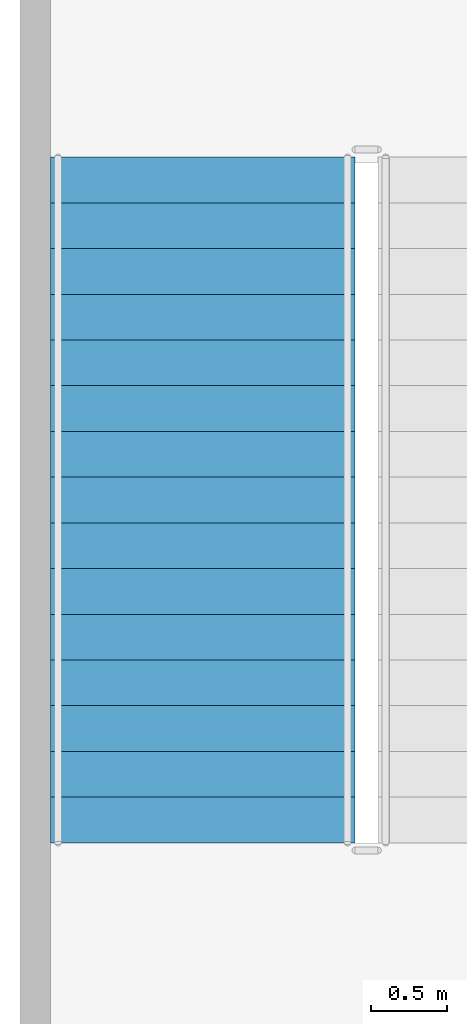
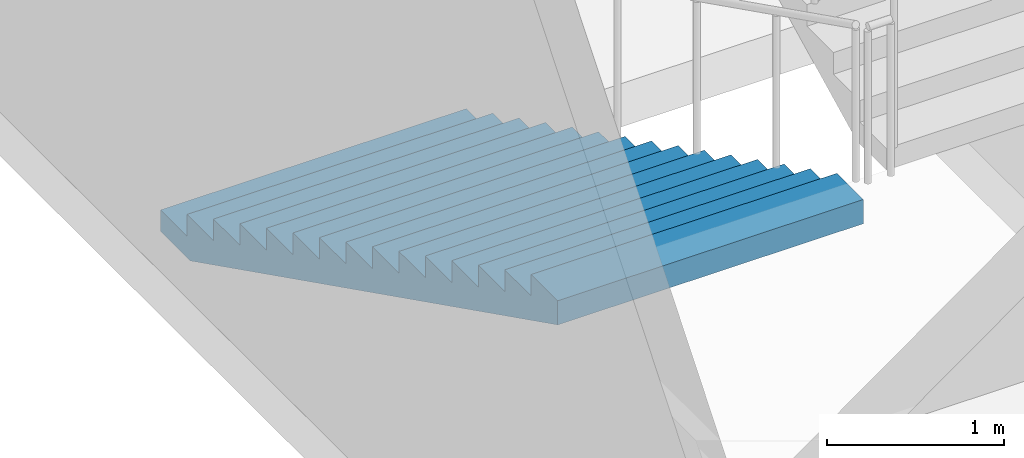
# One storey, part 54 of 67: 1 stair flight, 1 element without a shape of its own.
"""IFC4 building model written with IfcOpenShell, lengths in metres."""

from ifc_helpers import new_model, si_unit, direction, frame, origin, place, context, subcontext, project, spatial, faceted_brep, material, type_object, element, aggregate, save


model = new_model("IFC4")

# Units and contexts
model_context = context("Model", 3, precision=1e-05, world=origin(), true_north=direction((0.0, 1.0)))
body_context = subcontext(model_context, "Body", "Model", "MODEL_VIEW")
ifc_project = project(units=[si_unit("LENGTHUNIT", "METRE"), si_unit("AREAUNIT", "SQUARE_METRE"), si_unit("VOLUMEUNIT", "CUBIC_METRE"), si_unit("PLANEANGLEUNIT", "RADIAN"), si_unit("MASSUNIT", "GRAM", prefix="KILO")], contexts=[model_context])

# Site, building, storey
site_placement = place(None, origin())
site = spatial("IfcSite", under=ifc_project, at=site_placement, CompositionType="ELEMENT")
building_placement = place(site_placement, origin())
building = spatial("IfcBuilding", under=site, at=building_placement, Name="Kiln Court Media Centre", CompositionType="ELEMENT")
storey_placement = place(building_placement, frame((0.0, 0.0, 19.800048828125)))
storey = spatial("IfcBuildingStorey", under=building, at=storey_placement, Name="L04", CompositionType="ELEMENT", Elevation=19.800048828125)

# Stair, stair flight
ifc_material_1 = material(Name="Concrete C40/50", Category="concrete")
stair_type = type_object("IfcStairType", Name="Concrete C40/50 dog-leg stair 2000 wide, 150 riser", PredefinedType="HALF_TURN_STAIR", material=ifc_material_1)
stair_placement = place(storey_placement, origin())
stair = element("IfcStair", 1, at=stair_placement, inside=storey, type_object=stair_type, Name="ST-07 L04", PredefinedType="HALF_TURN_STAIR")
ifc_material_2 = material(Name="Concrete C40/50", Category="concrete")
stair_flight_type = type_object("IfcStairFlightType", Name="Concrete C40/50 stair flight 2000 wide, 150 riser, 300 going", PredefinedType="STRAIGHT", material=ifc_material_2)
stair_flight_placement = place(storey_placement, frame((1.199951171875, 64.39990234375, 0.0), z_axis=(0.0, 0.0, 1.0), x_axis=(0.0, -1.0, 0.0)))
stair_flight = element("IfcStairFlight", 2, at=stair_flight_placement, type_object=stair_flight_type, Name="L04-ST-5004 flight 5008", NumberOfRisers=16, NumberOfTreads=15, PredefinedType="STRAIGHT", RiserHeight=0.15, TreadLength=0.3, context=body_context, shape_type="Brep", body=[
    faceted_brep([(0.335205078125, -1.0, 0.0), (4.5, -1.0, 2.08251953125), (4.5, -1.0, 2.25), (4.199951171875, -1.0, 2.25), (4.199951171875, -1.0, 2.10009765625), (3.89990234375, -1.0, 2.10009765625), (3.89990234375, -1.0, 1.949951171875), (3.60009765625, -1.0, 1.949951171875), (3.60009765625, -1.0, 1.800048828125), (3.300048828125, -1.0, 1.800048828125), (3.300048828125, -1.0, 1.64990234375), (3.0, -1.0, 1.64990234375), (3.0, -1.0, 1.5), (2.699951171875, -1.0, 1.5), (2.699951171875, -1.0, 1.35009765625), (2.39990234375, -1.0, 1.35009765625), (2.39990234375, -1.0, 1.199951171875), (2.10009765625, -1.0, 1.199951171875), (2.10009765625, -1.0, 1.050048828125), (1.800048828125, -1.0, 1.050048828125), (1.800048828125, -1.0, 0.89990234375), (1.5, -1.0, 0.89990234375), (1.5, -1.0, 0.75), (1.199951171875, -1.0, 0.75), (1.199951171875, -1.0, 0.60009765625), (0.89990234375, -1.0, 0.60009765625), (0.89990234375, -1.0, 0.449951171875), (0.60009765625, -1.0, 0.449951171875), (0.60009765625, -1.0, 0.300048828125), (0.300048828125, -1.0, 0.300048828125), (0.300048828125, -1.0, 0.14990234375), (0.0, -1.0, 0.14990234375), (0.0, -1.0, 0.0), (0.0, 1.0, 0.0), (0.0, 1.0, 0.14990234375), (0.300048828125, 1.0, 0.14990234375), (0.300048828125, 1.0, 0.300048828125), (0.60009765625, 1.0, 0.300048828125), (0.60009765625, 1.0, 0.449951171875), (0.89990234375, 1.0, 0.449951171875), (0.89990234375, 1.0, 0.60009765625), (1.199951171875, 1.0, 0.60009765625), (1.199951171875, 1.0, 0.75), (1.5, 1.0, 0.75), (1.5, 1.0, 0.89990234375), (1.800048828125, 1.0, 0.89990234375), (1.800048828125, 1.0, 1.050048828125), (2.10009765625, 1.0, 1.050048828125), (2.10009765625, 1.0, 1.199951171875), (2.39990234375, 1.0, 1.199951171875), (2.39990234375, 1.0, 1.35009765625), (2.699951171875, 1.0, 1.35009765625), (2.699951171875, 1.0, 1.5), (3.0, 1.0, 1.5), (3.0, 1.0, 1.64990234375), (3.300048828125, 1.0, 1.64990234375), (3.300048828125, 1.0, 1.800048828125), (3.60009765625, 1.0, 1.800048828125), (3.60009765625, 1.0, 1.949951171875), (3.89990234375, 1.0, 1.949951171875), (3.89990234375, 1.0, 2.10009765625), (4.199951171875, 1.0, 2.10009765625), (4.199951171875, 1.0, 2.25), (4.5, 1.0, 2.25), (4.5, 1.0, 2.08251953125), (0.335205078125, 1.0, 0.0), (4.5, 0.10009765625, 2.08251953125), (0.335205078125, 0.10009765625, 0.0), (4.5, 0.080078125, 2.08251953125), (0.335205078125, 0.080078125, 0.0), (4.5, 0.06005859375, 2.08251953125), (0.335205078125, 0.06005859375, 0.0), (4.5, 0.0400390625, 2.08251953125), (0.335205078125, 0.0400390625, 0.0), (4.5, 0.02001953125, 2.08251953125), (0.335205078125, 0.02001953125, 0.0), (4.5, 0.0, 2.08251953125), (0.335205078125, 0.0, 0.0), (4.5, -0.02001953125, 2.08251953125), (0.335205078125, -0.02001953125, 0.0), (4.5, -0.0400390625, 2.08251953125), (0.335205078125, -0.0400390625, 0.0), (4.5, -0.06005859375, 2.08251953125), (0.335205078125, -0.06005859375, 0.0), (4.5, -0.080078125, 2.08251953125), (0.335205078125, -0.080078125, 0.0), (4.5, -0.10009765625, 2.08251953125), (0.335205078125, -0.10009765625, 0.0), (4.5, 0.10009765625, 2.25), (4.5, 0.080078125, 2.25), (4.5, 0.06005859375, 2.25), (4.5, 0.0400390625, 2.25), (4.5, 0.02001953125, 2.25), (4.5, 0.0, 2.25), (4.5, -0.02001953125, 2.25), (4.5, -0.0400390625, 2.25), (4.5, -0.06005859375, 2.25), (4.5, -0.080078125, 2.25), (4.5, -0.10009765625, 2.25), (4.199951171875, 0.10009765625, 2.25), (4.199951171875, 0.080078125, 2.25), (4.199951171875, 0.06005859375, 2.25), (4.199951171875, 0.0400390625, 2.25), (4.199951171875, 0.02001953125, 2.25), (4.199951171875, 0.0, 2.25), (4.199951171875, -0.02001953125, 2.25), (4.199951171875, -0.0400390625, 2.25), (4.199951171875, -0.06005859375, 2.25), (4.199951171875, -0.080078125, 2.25), (4.199951171875, -0.10009765625, 2.25), (4.199951171875, 0.10009765625, 2.10009765625), (4.199951171875, 0.080078125, 2.10009765625), (4.199951171875, 0.06005859375, 2.10009765625), (4.199951171875, 0.0400390625, 2.10009765625), (4.199951171875, 0.02001953125, 2.10009765625), (4.199951171875, 0.0, 2.10009765625), (4.199951171875, -0.02001953125, 2.10009765625), (4.199951171875, -0.0400390625, 2.10009765625), (4.199951171875, -0.06005859375, 2.10009765625), (4.199951171875, -0.080078125, 2.10009765625), (4.199951171875, -0.10009765625, 2.10009765625), (3.89990234375, 0.10009765625, 2.10009765625), (3.89990234375, 0.080078125, 2.10009765625), (3.89990234375, 0.06005859375, 2.10009765625), (3.89990234375, 0.0400390625, 2.10009765625), (3.89990234375, 0.02001953125, 2.10009765625), (3.89990234375, 0.0, 2.10009765625), (3.89990234375, -0.02001953125, 2.10009765625), (3.89990234375, -0.0400390625, 2.10009765625), (3.89990234375, -0.06005859375, 2.10009765625), (3.89990234375, -0.080078125, 2.10009765625), (3.89990234375, -0.10009765625, 2.10009765625), (3.89990234375, 0.10009765625, 1.949951171875), (3.89990234375, 0.080078125, 1.949951171875), (3.89990234375, 0.06005859375, 1.949951171875), (3.89990234375, 0.0400390625, 1.949951171875), (3.89990234375, 0.02001953125, 1.949951171875), (3.89990234375, 0.0, 1.949951171875), (3.89990234375, -0.02001953125, 1.949951171875), (3.89990234375, -0.0400390625, 1.949951171875), (3.89990234375, -0.06005859375, 1.949951171875), (3.89990234375, -0.080078125, 1.949951171875), (3.89990234375, -0.10009765625, 1.949951171875), (3.60009765625, 0.10009765625, 1.949951171875), (3.60009765625, 0.080078125, 1.949951171875), (3.60009765625, 0.06005859375, 1.949951171875), (3.60009765625, 0.0400390625, 1.949951171875), (3.60009765625, 0.02001953125, 1.949951171875), (3.60009765625, 0.0, 1.949951171875), (3.60009765625, -0.02001953125, 1.949951171875), (3.60009765625, -0.0400390625, 1.949951171875), (3.60009765625, -0.06005859375, 1.949951171875), (3.60009765625, -0.080078125, 1.949951171875), (3.60009765625, -0.10009765625, 1.949951171875), (3.60009765625, 0.10009765625, 1.800048828125), (3.60009765625, 0.080078125, 1.800048828125), (3.60009765625, 0.06005859375, 1.800048828125), (3.60009765625, 0.0400390625, 1.800048828125), (3.60009765625, 0.02001953125, 1.800048828125), (3.60009765625, 0.0, 1.800048828125), (3.60009765625, -0.02001953125, 1.800048828125), (3.60009765625, -0.0400390625, 1.800048828125), (3.60009765625, -0.06005859375, 1.800048828125), (3.60009765625, -0.080078125, 1.800048828125), (3.60009765625, -0.10009765625, 1.800048828125), (3.300048828125, 0.10009765625, 1.800048828125), (3.300048828125, 0.080078125, 1.800048828125), (3.300048828125, 0.06005859375, 1.800048828125), (3.300048828125, 0.0400390625, 1.800048828125), (3.300048828125, 0.02001953125, 1.800048828125), (3.300048828125, 0.0, 1.800048828125), (3.300048828125, -0.02001953125, 1.800048828125), (3.300048828125, -0.0400390625, 1.800048828125), (3.300048828125, -0.06005859375, 1.800048828125), (3.300048828125, -0.080078125, 1.800048828125), (3.300048828125, -0.10009765625, 1.800048828125), (3.300048828125, 0.10009765625, 1.64990234375), (3.300048828125, 0.080078125, 1.64990234375), (3.300048828125, 0.06005859375, 1.64990234375), (3.300048828125, 0.0400390625, 1.64990234375), (3.300048828125, 0.02001953125, 1.64990234375), (3.300048828125, 0.0, 1.64990234375), (3.300048828125, -0.02001953125, 1.64990234375), (3.300048828125, -0.0400390625, 1.64990234375), (3.300048828125, -0.06005859375, 1.64990234375), (3.300048828125, -0.080078125, 1.64990234375), (3.300048828125, -0.10009765625, 1.64990234375), (3.0, 0.10009765625, 1.64990234375), (3.0, 0.080078125, 1.64990234375), (3.0, 0.06005859375, 1.64990234375), (3.0, 0.0400390625, 1.64990234375), (3.0, 0.02001953125, 1.64990234375), (3.0, 0.0, 1.64990234375), (3.0, -0.02001953125, 1.64990234375), (3.0, -0.0400390625, 1.64990234375), (3.0, -0.06005859375, 1.64990234375), (3.0, -0.080078125, 1.64990234375), (3.0, -0.10009765625, 1.64990234375), (3.0, 0.10009765625, 1.5), (3.0, 0.080078125, 1.5), (3.0, 0.06005859375, 1.5), (3.0, 0.0400390625, 1.5), (3.0, 0.02001953125, 1.5), (3.0, 0.0, 1.5), (3.0, -0.02001953125, 1.5), (3.0, -0.0400390625, 1.5), (3.0, -0.06005859375, 1.5), (3.0, -0.080078125, 1.5), (3.0, -0.10009765625, 1.5), (2.699951171875, 0.10009765625, 1.5), (2.699951171875, 0.080078125, 1.5), (2.699951171875, 0.06005859375, 1.5), (2.699951171875, 0.0400390625, 1.5), (2.699951171875, 0.02001953125, 1.5), (2.699951171875, 0.0, 1.5), (2.699951171875, -0.02001953125, 1.5), (2.699951171875, -0.0400390625, 1.5), (2.699951171875, -0.06005859375, 1.5), (2.699951171875, -0.080078125, 1.5), (2.699951171875, -0.10009765625, 1.5), (2.699951171875, 0.10009765625, 1.35009765625), (2.699951171875, 0.080078125, 1.35009765625), (2.699951171875, 0.06005859375, 1.35009765625), (2.699951171875, 0.0400390625, 1.35009765625), (2.699951171875, 0.02001953125, 1.35009765625), (2.699951171875, 0.0, 1.35009765625), (2.699951171875, -0.02001953125, 1.35009765625), (2.699951171875, -0.0400390625, 1.35009765625), (2.699951171875, -0.06005859375, 1.35009765625), (2.699951171875, -0.080078125, 1.35009765625), (2.699951171875, -0.10009765625, 1.35009765625), (2.39990234375, 0.10009765625, 1.35009765625), (2.39990234375, 0.080078125, 1.35009765625), (2.39990234375, 0.06005859375, 1.35009765625), (2.39990234375, 0.0400390625, 1.35009765625), (2.39990234375, 0.02001953125, 1.35009765625), (2.39990234375, 0.0, 1.35009765625), (2.39990234375, -0.02001953125, 1.35009765625), (2.39990234375, -0.0400390625, 1.35009765625), (2.39990234375, -0.06005859375, 1.35009765625), (2.39990234375, -0.080078125, 1.35009765625), (2.39990234375, -0.10009765625, 1.35009765625), (2.39990234375, 0.10009765625, 1.199951171875), (2.39990234375, 0.080078125, 1.199951171875), (2.39990234375, 0.06005859375, 1.199951171875), (2.39990234375, 0.0400390625, 1.199951171875), (2.39990234375, 0.02001953125, 1.199951171875), (2.39990234375, 0.0, 1.199951171875), (2.39990234375, -0.02001953125, 1.199951171875), (2.39990234375, -0.0400390625, 1.199951171875), (2.39990234375, -0.06005859375, 1.199951171875), (2.39990234375, -0.080078125, 1.199951171875), (2.39990234375, -0.10009765625, 1.199951171875), (2.10009765625, 0.10009765625, 1.199951171875), (2.10009765625, 0.080078125, 1.199951171875), (2.10009765625, 0.06005859375, 1.199951171875), (2.10009765625, 0.0400390625, 1.199951171875), (2.10009765625, 0.02001953125, 1.199951171875), (2.10009765625, 0.0, 1.199951171875), (2.10009765625, -0.02001953125, 1.199951171875), (2.10009765625, -0.0400390625, 1.199951171875), (2.10009765625, -0.06005859375, 1.199951171875), (2.10009765625, -0.080078125, 1.199951171875), (2.10009765625, -0.10009765625, 1.199951171875), (2.10009765625, 0.10009765625, 1.050048828125), (2.10009765625, 0.080078125, 1.050048828125), (2.10009765625, 0.06005859375, 1.050048828125), (2.10009765625, 0.0400390625, 1.050048828125), (2.10009765625, 0.02001953125, 1.050048828125), (2.10009765625, 0.0, 1.050048828125), (2.10009765625, -0.02001953125, 1.050048828125), (2.10009765625, -0.0400390625, 1.050048828125), (2.10009765625, -0.06005859375, 1.050048828125), (2.10009765625, -0.080078125, 1.050048828125), (2.10009765625, -0.10009765625, 1.050048828125), (1.800048828125, 0.10009765625, 1.050048828125), (1.800048828125, 0.080078125, 1.050048828125), (1.800048828125, 0.06005859375, 1.050048828125), (1.800048828125, 0.0400390625, 1.050048828125), (1.800048828125, 0.02001953125, 1.050048828125), (1.800048828125, 0.0, 1.050048828125), (1.800048828125, -0.02001953125, 1.050048828125), (1.800048828125, -0.0400390625, 1.050048828125), (1.800048828125, -0.06005859375, 1.050048828125), (1.800048828125, -0.080078125, 1.050048828125), (1.800048828125, -0.10009765625, 1.050048828125), (1.800048828125, 0.10009765625, 0.89990234375), (1.800048828125, 0.080078125, 0.89990234375), (1.800048828125, 0.06005859375, 0.89990234375), (1.800048828125, 0.0400390625, 0.89990234375), (1.800048828125, 0.02001953125, 0.89990234375), (1.800048828125, 0.0, 0.89990234375), (1.800048828125, -0.02001953125, 0.89990234375), (1.800048828125, -0.0400390625, 0.89990234375), (1.800048828125, -0.06005859375, 0.89990234375), (1.800048828125, -0.080078125, 0.89990234375), (1.800048828125, -0.10009765625, 0.89990234375), (1.5, 0.10009765625, 0.89990234375), (1.5, 0.080078125, 0.89990234375), (1.5, 0.06005859375, 0.89990234375), (1.5, 0.0400390625, 0.89990234375), (1.5, 0.02001953125, 0.89990234375), (1.5, 0.0, 0.89990234375), (1.5, -0.02001953125, 0.89990234375), (1.5, -0.0400390625, 0.89990234375), (1.5, -0.06005859375, 0.89990234375), (1.5, -0.080078125, 0.89990234375), (1.5, -0.10009765625, 0.89990234375), (1.5, 0.10009765625, 0.75), (1.5, 0.080078125, 0.75), (1.5, 0.06005859375, 0.75), (1.5, 0.0400390625, 0.75), (1.5, 0.02001953125, 0.75), (1.5, 0.0, 0.75), (1.5, -0.02001953125, 0.75), (1.5, -0.0400390625, 0.75), (1.5, -0.06005859375, 0.75), (1.5, -0.080078125, 0.75), (1.5, -0.10009765625, 0.75), (1.199951171875, 0.10009765625, 0.75), (1.199951171875, 0.080078125, 0.75), (1.199951171875, 0.06005859375, 0.75), (1.199951171875, 0.0400390625, 0.75), (1.199951171875, 0.02001953125, 0.75), (1.199951171875, 0.0, 0.75), (1.199951171875, -0.02001953125, 0.75), (1.199951171875, -0.0400390625, 0.75), (1.199951171875, -0.06005859375, 0.75), (1.199951171875, -0.080078125, 0.75), (1.199951171875, -0.10009765625, 0.75), (1.199951171875, 0.10009765625, 0.60009765625), (1.199951171875, 0.080078125, 0.60009765625), (1.199951171875, 0.06005859375, 0.60009765625), (1.199951171875, 0.0400390625, 0.60009765625), (1.199951171875, 0.02001953125, 0.60009765625), (1.199951171875, 0.0, 0.60009765625), (1.199951171875, -0.02001953125, 0.60009765625), (1.199951171875, -0.0400390625, 0.60009765625), (1.199951171875, -0.06005859375, 0.60009765625), (1.199951171875, -0.080078125, 0.60009765625), (1.199951171875, -0.10009765625, 0.60009765625), (0.89990234375, 0.10009765625, 0.60009765625), (0.89990234375, 0.080078125, 0.60009765625), (0.89990234375, 0.06005859375, 0.60009765625), (0.89990234375, 0.0400390625, 0.60009765625), (0.89990234375, 0.02001953125, 0.60009765625), (0.89990234375, 0.0, 0.60009765625), (0.89990234375, -0.02001953125, 0.60009765625), (0.89990234375, -0.0400390625, 0.60009765625), (0.89990234375, -0.06005859375, 0.60009765625), (0.89990234375, -0.080078125, 0.60009765625), (0.89990234375, -0.10009765625, 0.60009765625), (0.89990234375, 0.10009765625, 0.449951171875), (0.89990234375, 0.080078125, 0.449951171875), (0.89990234375, 0.06005859375, 0.449951171875), (0.89990234375, 0.0400390625, 0.449951171875), (0.89990234375, 0.02001953125, 0.449951171875), (0.89990234375, 0.0, 0.449951171875), (0.89990234375, -0.02001953125, 0.449951171875), (0.89990234375, -0.0400390625, 0.449951171875), (0.89990234375, -0.06005859375, 0.449951171875), (0.89990234375, -0.080078125, 0.449951171875), (0.89990234375, -0.10009765625, 0.449951171875), (0.60009765625, 0.10009765625, 0.449951171875), (0.60009765625, 0.080078125, 0.449951171875), (0.60009765625, 0.06005859375, 0.449951171875), (0.60009765625, 0.0400390625, 0.449951171875), (0.60009765625, 0.02001953125, 0.449951171875), (0.60009765625, 0.0, 0.449951171875), (0.60009765625, -0.02001953125, 0.449951171875), (0.60009765625, -0.0400390625, 0.449951171875), (0.60009765625, -0.06005859375, 0.449951171875), (0.60009765625, -0.080078125, 0.449951171875), (0.60009765625, -0.10009765625, 0.449951171875), (0.60009765625, 0.10009765625, 0.300048828125), (0.60009765625, 0.080078125, 0.300048828125), (0.60009765625, 0.06005859375, 0.300048828125), (0.60009765625, 0.0400390625, 0.300048828125), (0.60009765625, 0.02001953125, 0.300048828125), (0.60009765625, 0.0, 0.300048828125), (0.60009765625, -0.02001953125, 0.300048828125), (0.60009765625, -0.0400390625, 0.300048828125), (0.60009765625, -0.06005859375, 0.300048828125), (0.60009765625, -0.080078125, 0.300048828125), (0.60009765625, -0.10009765625, 0.300048828125), (0.300048828125, 0.10009765625, 0.300048828125), (0.300048828125, 0.080078125, 0.300048828125), (0.300048828125, 0.06005859375, 0.300048828125), (0.300048828125, 0.0400390625, 0.300048828125), (0.300048828125, 0.02001953125, 0.300048828125), (0.300048828125, 0.0, 0.300048828125), (0.300048828125, -0.02001953125, 0.300048828125), (0.300048828125, -0.0400390625, 0.300048828125), (0.300048828125, -0.06005859375, 0.300048828125), (0.300048828125, -0.080078125, 0.300048828125), (0.300048828125, -0.10009765625, 0.300048828125), (0.300048828125, 0.10009765625, 0.14990234375), (0.300048828125, 0.080078125, 0.14990234375), (0.300048828125, 0.06005859375, 0.14990234375), (0.300048828125, 0.0400390625, 0.14990234375), (0.300048828125, 0.02001953125, 0.14990234375), (0.300048828125, 0.0, 0.14990234375), (0.300048828125, -0.02001953125, 0.14990234375), (0.300048828125, -0.0400390625, 0.14990234375), (0.300048828125, -0.06005859375, 0.14990234375), (0.300048828125, -0.080078125, 0.14990234375), (0.300048828125, -0.10009765625, 0.14990234375), (0.0, 0.10009765625, 0.14990234375), (0.0, 0.080078125, 0.14990234375), (0.0, 0.06005859375, 0.14990234375), (0.0, 0.0400390625, 0.14990234375), (0.0, 0.02001953125, 0.14990234375), (0.0, 0.0, 0.14990234375), (0.0, -0.02001953125, 0.14990234375), (0.0, -0.0400390625, 0.14990234375), (0.0, -0.06005859375, 0.14990234375), (0.0, -0.080078125, 0.14990234375), (0.0, -0.10009765625, 0.14990234375), (0.0, 0.10009765625, 0.0), (0.0, 0.080078125, 0.0), (0.0, 0.06005859375, 0.0), (0.0, 0.0400390625, 0.0), (0.0, 0.02001953125, 0.0), (0.0, 0.0, 0.0), (0.0, -0.02001953125, 0.0), (0.0, -0.0400390625, 0.0), (0.0, -0.06005859375, 0.0), (0.0, -0.080078125, 0.0), (0.0, -0.10009765625, 0.0)], [[[0, 1, 2, 3, 4, 5, 6, 7, 8, 9, 10, 11, 12, 13, 14, 15, 16, 17, 18, 19, 20, 21, 22, 23, 24, 25, 26, 27, 28, 29, 30, 31, 32]], [[33, 34, 35, 36, 37, 38, 39, 40, 41, 42, 43, 44, 45, 46, 47, 48, 49, 50, 51, 52, 53, 54, 55, 56, 57, 58, 59, 60, 61, 62, 63, 64, 65]], [[65, 64, 66, 67]], [[67, 66, 68, 69]], [[69, 68, 70, 71]], [[71, 70, 72, 73]], [[73, 72, 74, 75]], [[75, 74, 76, 77]], [[77, 76, 78, 79]], [[79, 78, 80, 81]], [[81, 80, 82, 83]], [[83, 82, 84, 85]], [[85, 84, 86, 87]], [[87, 86, 1, 0]], [[64, 63, 88, 66]], [[66, 88, 89, 68]], [[68, 89, 90, 70]], [[70, 90, 91, 72]], [[72, 91, 92, 74]], [[74, 92, 93, 76]], [[76, 93, 94, 78]], [[78, 94, 95, 80]], [[80, 95, 96, 82]], [[82, 96, 97, 84]], [[84, 97, 98, 86]], [[86, 98, 2, 1]], [[63, 62, 99, 88]], [[88, 99, 100, 89]], [[89, 100, 101, 90]], [[90, 101, 102, 91]], [[91, 102, 103, 92]], [[92, 103, 104, 93]], [[93, 104, 105, 94]], [[94, 105, 106, 95]], [[95, 106, 107, 96]], [[96, 107, 108, 97]], [[97, 108, 109, 98]], [[98, 109, 3, 2]], [[62, 61, 110, 99]], [[99, 110, 111, 100]], [[100, 111, 112, 101]], [[101, 112, 113, 102]], [[102, 113, 114, 103]], [[103, 114, 115, 104]], [[104, 115, 116, 105]], [[105, 116, 117, 106]], [[106, 117, 118, 107]], [[107, 118, 119, 108]], [[108, 119, 120, 109]], [[109, 120, 4, 3]], [[61, 60, 121, 110]], [[110, 121, 122, 111]], [[111, 122, 123, 112]], [[112, 123, 124, 113]], [[113, 124, 125, 114]], [[114, 125, 126, 115]], [[115, 126, 127, 116]], [[116, 127, 128, 117]], [[117, 128, 129, 118]], [[118, 129, 130, 119]], [[119, 130, 131, 120]], [[120, 131, 5, 4]], [[60, 59, 132, 121]], [[121, 132, 133, 122]], [[122, 133, 134, 123]], [[123, 134, 135, 124]], [[124, 135, 136, 125]], [[125, 136, 137, 126]], [[126, 137, 138, 127]], [[127, 138, 139, 128]], [[128, 139, 140, 129]], [[129, 140, 141, 130]], [[130, 141, 142, 131]], [[131, 142, 6, 5]], [[59, 58, 143, 132]], [[132, 143, 144, 133]], [[133, 144, 145, 134]], [[134, 145, 146, 135]], [[135, 146, 147, 136]], [[136, 147, 148, 137]], [[137, 148, 149, 138]], [[138, 149, 150, 139]], [[139, 150, 151, 140]], [[140, 151, 152, 141]], [[141, 152, 153, 142]], [[142, 153, 7, 6]], [[58, 57, 154, 143]], [[143, 154, 155, 144]], [[144, 155, 156, 145]], [[145, 156, 157, 146]], [[146, 157, 158, 147]], [[147, 158, 159, 148]], [[148, 159, 160, 149]], [[149, 160, 161, 150]], [[150, 161, 162, 151]], [[151, 162, 163, 152]], [[152, 163, 164, 153]], [[153, 164, 8, 7]], [[57, 56, 165, 154]], [[154, 165, 166, 155]], [[155, 166, 167, 156]], [[156, 167, 168, 157]], [[157, 168, 169, 158]], [[158, 169, 170, 159]], [[159, 170, 171, 160]], [[160, 171, 172, 161]], [[161, 172, 173, 162]], [[162, 173, 174, 163]], [[163, 174, 175, 164]], [[164, 175, 9, 8]], [[56, 55, 176, 165]], [[165, 176, 177, 166]], [[166, 177, 178, 167]], [[167, 178, 179, 168]], [[168, 179, 180, 169]], [[169, 180, 181, 170]], [[170, 181, 182, 171]], [[171, 182, 183, 172]], [[172, 183, 184, 173]], [[173, 184, 185, 174]], [[174, 185, 186, 175]], [[175, 186, 10, 9]], [[55, 54, 187, 176]], [[176, 187, 188, 177]], [[177, 188, 189, 178]], [[178, 189, 190, 179]], [[179, 190, 191, 180]], [[180, 191, 192, 181]], [[181, 192, 193, 182]], [[182, 193, 194, 183]], [[183, 194, 195, 184]], [[184, 195, 196, 185]], [[185, 196, 197, 186]], [[186, 197, 11, 10]], [[54, 53, 198, 187]], [[187, 198, 199, 188]], [[188, 199, 200, 189]], [[189, 200, 201, 190]], [[190, 201, 202, 191]], [[191, 202, 203, 192]], [[192, 203, 204, 193]], [[193, 204, 205, 194]], [[194, 205, 206, 195]], [[195, 206, 207, 196]], [[196, 207, 208, 197]], [[197, 208, 12, 11]], [[53, 52, 209, 198]], [[198, 209, 210, 199]], [[199, 210, 211, 200]], [[200, 211, 212, 201]], [[201, 212, 213, 202]], [[202, 213, 214, 203]], [[203, 214, 215, 204]], [[204, 215, 216, 205]], [[205, 216, 217, 206]], [[206, 217, 218, 207]], [[207, 218, 219, 208]], [[208, 219, 13, 12]], [[52, 51, 220, 209]], [[209, 220, 221, 210]], [[210, 221, 222, 211]], [[211, 222, 223, 212]], [[212, 223, 224, 213]], [[213, 224, 225, 214]], [[214, 225, 226, 215]], [[215, 226, 227, 216]], [[216, 227, 228, 217]], [[217, 228, 229, 218]], [[218, 229, 230, 219]], [[219, 230, 14, 13]], [[51, 50, 231, 220]], [[220, 231, 232, 221]], [[221, 232, 233, 222]], [[222, 233, 234, 223]], [[223, 234, 235, 224]], [[224, 235, 236, 225]], [[225, 236, 237, 226]], [[226, 237, 238, 227]], [[227, 238, 239, 228]], [[228, 239, 240, 229]], [[229, 240, 241, 230]], [[230, 241, 15, 14]], [[50, 49, 242, 231]], [[231, 242, 243, 232]], [[232, 243, 244, 233]], [[233, 244, 245, 234]], [[234, 245, 246, 235]], [[235, 246, 247, 236]], [[236, 247, 248, 237]], [[237, 248, 249, 238]], [[238, 249, 250, 239]], [[239, 250, 251, 240]], [[240, 251, 252, 241]], [[241, 252, 16, 15]], [[49, 48, 253, 242]], [[242, 253, 254, 243]], [[243, 254, 255, 244]], [[244, 255, 256, 245]], [[245, 256, 257, 246]], [[246, 257, 258, 247]], [[247, 258, 259, 248]], [[248, 259, 260, 249]], [[249, 260, 261, 250]], [[250, 261, 262, 251]], [[251, 262, 263, 252]], [[252, 263, 17, 16]], [[48, 47, 264, 253]], [[253, 264, 265, 254]], [[254, 265, 266, 255]], [[255, 266, 267, 256]], [[256, 267, 268, 257]], [[257, 268, 269, 258]], [[258, 269, 270, 259]], [[259, 270, 271, 260]], [[260, 271, 272, 261]], [[261, 272, 273, 262]], [[262, 273, 274, 263]], [[263, 274, 18, 17]], [[47, 46, 275, 264]], [[264, 275, 276, 265]], [[265, 276, 277, 266]], [[266, 277, 278, 267]], [[267, 278, 279, 268]], [[268, 279, 280, 269]], [[269, 280, 281, 270]], [[270, 281, 282, 271]], [[271, 282, 283, 272]], [[272, 283, 284, 273]], [[273, 284, 285, 274]], [[274, 285, 19, 18]], [[46, 45, 286, 275]], [[275, 286, 287, 276]], [[276, 287, 288, 277]], [[277, 288, 289, 278]], [[278, 289, 290, 279]], [[279, 290, 291, 280]], [[280, 291, 292, 281]], [[281, 292, 293, 282]], [[282, 293, 294, 283]], [[283, 294, 295, 284]], [[284, 295, 296, 285]], [[285, 296, 20, 19]], [[45, 44, 297, 286]], [[286, 297, 298, 287]], [[287, 298, 299, 288]], [[288, 299, 300, 289]], [[289, 300, 301, 290]], [[290, 301, 302, 291]], [[291, 302, 303, 292]], [[292, 303, 304, 293]], [[293, 304, 305, 294]], [[294, 305, 306, 295]], [[295, 306, 307, 296]], [[296, 307, 21, 20]], [[44, 43, 308, 297]], [[297, 308, 309, 298]], [[298, 309, 310, 299]], [[299, 310, 311, 300]], [[300, 311, 312, 301]], [[301, 312, 313, 302]], [[302, 313, 314, 303]], [[303, 314, 315, 304]], [[304, 315, 316, 305]], [[305, 316, 317, 306]], [[306, 317, 318, 307]], [[307, 318, 22, 21]], [[43, 42, 319, 308]], [[308, 319, 320, 309]], [[309, 320, 321, 310]], [[310, 321, 322, 311]], [[311, 322, 323, 312]], [[312, 323, 324, 313]], [[313, 324, 325, 314]], [[314, 325, 326, 315]], [[315, 326, 327, 316]], [[316, 327, 328, 317]], [[317, 328, 329, 318]], [[318, 329, 23, 22]], [[42, 41, 330, 319]], [[319, 330, 331, 320]], [[320, 331, 332, 321]], [[321, 332, 333, 322]], [[322, 333, 334, 323]], [[323, 334, 335, 324]], [[324, 335, 336, 325]], [[325, 336, 337, 326]], [[326, 337, 338, 327]], [[327, 338, 339, 328]], [[328, 339, 340, 329]], [[329, 340, 24, 23]], [[41, 40, 341, 330]], [[330, 341, 342, 331]], [[331, 342, 343, 332]], [[332, 343, 344, 333]], [[333, 344, 345, 334]], [[334, 345, 346, 335]], [[335, 346, 347, 336]], [[336, 347, 348, 337]], [[337, 348, 349, 338]], [[338, 349, 350, 339]], [[339, 350, 351, 340]], [[340, 351, 25, 24]], [[40, 39, 352, 341]], [[341, 352, 353, 342]], [[342, 353, 354, 343]], [[343, 354, 355, 344]], [[344, 355, 356, 345]], [[345, 356, 357, 346]], [[346, 357, 358, 347]], [[347, 358, 359, 348]], [[348, 359, 360, 349]], [[349, 360, 361, 350]], [[350, 361, 362, 351]], [[351, 362, 26, 25]], [[39, 38, 363, 352]], [[352, 363, 364, 353]], [[353, 364, 365, 354]], [[354, 365, 366, 355]], [[355, 366, 367, 356]], [[356, 367, 368, 357]], [[357, 368, 369, 358]], [[358, 369, 370, 359]], [[359, 370, 371, 360]], [[360, 371, 372, 361]], [[361, 372, 373, 362]], [[362, 373, 27, 26]], [[38, 37, 374, 363]], [[363, 374, 375, 364]], [[364, 375, 376, 365]], [[365, 376, 377, 366]], [[366, 377, 378, 367]], [[367, 378, 379, 368]], [[368, 379, 380, 369]], [[369, 380, 381, 370]], [[370, 381, 382, 371]], [[371, 382, 383, 372]], [[372, 383, 384, 373]], [[373, 384, 28, 27]], [[37, 36, 385, 374]], [[374, 385, 386, 375]], [[375, 386, 387, 376]], [[376, 387, 388, 377]], [[377, 388, 389, 378]], [[378, 389, 390, 379]], [[379, 390, 391, 380]], [[380, 391, 392, 381]], [[381, 392, 393, 382]], [[382, 393, 394, 383]], [[383, 394, 395, 384]], [[384, 395, 29, 28]], [[36, 35, 396, 385]], [[385, 396, 397, 386]], [[386, 397, 398, 387]], [[387, 398, 399, 388]], [[388, 399, 400, 389]], [[389, 400, 401, 390]], [[390, 401, 402, 391]], [[391, 402, 403, 392]], [[392, 403, 404, 393]], [[393, 404, 405, 394]], [[394, 405, 406, 395]], [[395, 406, 30, 29]], [[35, 34, 407, 396]], [[396, 407, 408, 397]], [[397, 408, 409, 398]], [[398, 409, 410, 399]], [[399, 410, 411, 400]], [[400, 411, 412, 401]], [[401, 412, 413, 402]], [[402, 413, 414, 403]], [[403, 414, 415, 404]], [[404, 415, 416, 405]], [[405, 416, 417, 406]], [[406, 417, 31, 30]], [[34, 33, 418, 407]], [[407, 418, 419, 408]], [[408, 419, 420, 409]], [[409, 420, 421, 410]], [[410, 421, 422, 411]], [[411, 422, 423, 412]], [[412, 423, 424, 413]], [[413, 424, 425, 414]], [[414, 425, 426, 415]], [[415, 426, 427, 416]], [[416, 427, 428, 417]], [[417, 428, 32, 31]], [[33, 65, 67, 418]], [[418, 67, 69, 419]], [[419, 69, 71, 420]], [[420, 71, 73, 421]], [[421, 73, 75, 422]], [[422, 75, 77, 423]], [[423, 77, 79, 424]], [[424, 79, 81, 425]], [[425, 81, 83, 426]], [[426, 83, 85, 427]], [[427, 85, 87, 428]], [[428, 87, 0, 32]]]),
])
aggregate(stair, [stair_flight])

save(model, "model.ifc")
